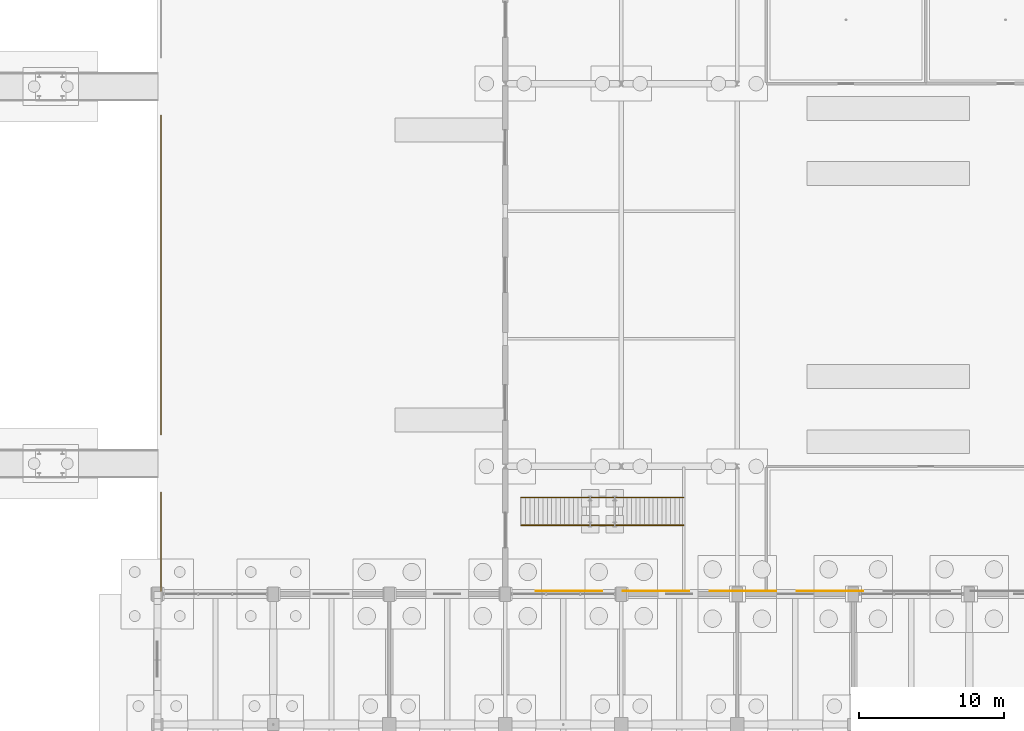
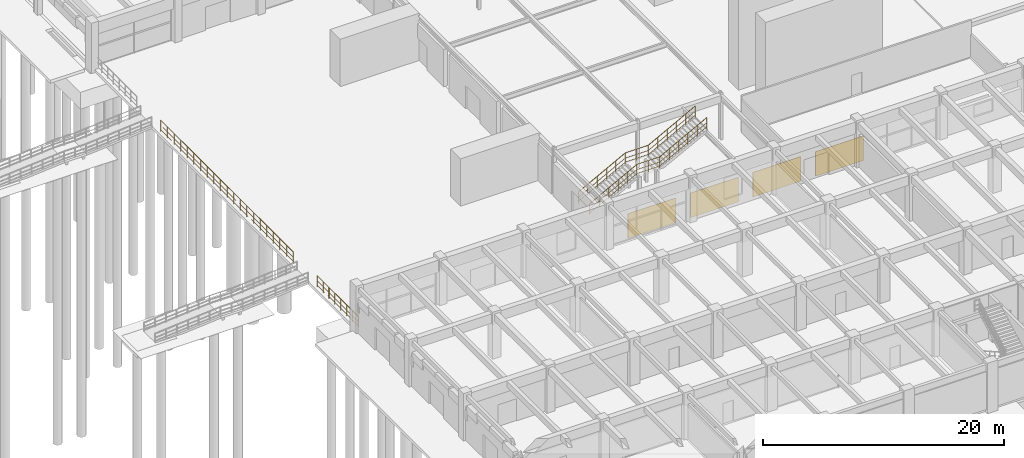
# One storey, part 135 of 147: 4 coverings, 4 railings.
"""IFC4 building model written with IfcOpenShell, lengths in metres."""

from ifc_helpers import new_model, si_unit, direction, frame, origin, origin_2d, place, context, subcontext, project, spatial, rectangle, circle, extrude, material, layer, layer_set, type_object, element, save


model = new_model("IFC4")

# Units and contexts
model_context = context("Model", 3, precision=1e-05, world=origin(), true_north=direction((0.0, 1.0)))
body_context = subcontext(model_context, "Body", "Model", "MODEL_VIEW")
ifc_project = project(units=[si_unit("LENGTHUNIT", "METRE"), si_unit("AREAUNIT", "SQUARE_METRE"), si_unit("VOLUMEUNIT", "CUBIC_METRE"), si_unit("PLANEANGLEUNIT", "RADIAN"), si_unit("MASSUNIT", "GRAM", prefix="KILO")], contexts=[model_context])

# Site, building, storey
site_placement = place(None, origin())
site = spatial("IfcSite", under=ifc_project, at=site_placement, CompositionType="ELEMENT")
building_placement = place(site_placement, origin())
building = spatial("IfcBuilding", under=site, at=building_placement, Name="Varnabhumi Central Station", CompositionType="ELEMENT")
storey_placement = place(building_placement, origin())
storey = spatial("IfcBuildingStorey", under=building, at=storey_placement, Name="L00", CompositionType="ELEMENT", Elevation=0.0)

# Coverings
ifc_material_1 = material(Name="Terracotta clay Mission barrel tile", Category="masonry")
ifc_layer = layer(ifc_material_1, 0.02001953125, Name="Terracotta clay Mission barrel tile", Category="masonry")
ifc_layer_set = layer_set([ifc_layer], Name="Terracotta clay Mission barrel tile")
covering_type = type_object("IfcCoveringType", Name="COV-WALL-FAIENCE", PredefinedType="CLADDING", material=ifc_layer_set)
for number, where, z_axis, x_axis, name in (
    (1, (28.39990234375, 36.199951171875, 0.0), (0.0, 0.0, 1.0), (1.0, 0.0, 0.0), "Ticket Hall Glazed Faience Wainscot 1"),
    (2, (34.39990234375, 36.199951171875, 0.0), (0.0, 0.0, 1.0), (1.0, 0.0, 0.0), "Ticket Hall Glazed Faience Wainscot 2"),
    (3, (40.39990234375, 36.199951171875, 0.0), (0.0, 0.0, 1.0), (1.0, 0.0, 0.0), "Ticket Hall Glazed Faience Wainscot 3"),
    (4, (46.39990234375, 36.199951171875, 0.0), (0.0, 0.0, 1.0), (1.0, 0.0, 0.0), "Ticket Hall Glazed Faience Wainscot 4"),
):
    element("IfcCovering", number, at=place(storey_placement, frame(where, z_axis=z_axis, x_axis=x_axis)), inside=storey, type_object=covering_type, Name=name, PredefinedType="CLADDING", context=body_context, shape_type="SweptSolid", body=[
        extrude(rectangle(XDim=4.60009765625, YDim=0.0400390625, at=origin_2d()), origin(), (0.0, 0.0, 1.0), 2.5),
    ])

# Railings
ifc_material_2 = material(Name="Stainless steel Grade 316", Category="steel")
railing_type_1 = type_object("IfcRailingType", Name="RAIL-BALUST-1150", PredefinedType="BALUSTRADE", material=ifc_material_2)
railing_1_placement = place(storey_placement, frame((0.25, 36.199951171875, 0.0)))
element("IfcRailing", 5, at=railing_1_placement, inside=storey, type_object=railing_type_1, Name="Forecourt Plinth Edge Balustrade 1", PredefinedType="BALUSTRADE", context=body_context, shape_type="SweptSolid", body=[
    extrude(circle(Radius=0.02392578125, at=origin_2d()), frame((0.0, 0.0, 1.1259765625), z_axis=(0.0, 1.0, 0.0), x_axis=(-1.0, 0.0, 0.0)), (0.0, 0.0, 1.0), 6.800048828125),
    extrude(circle(Radius=0.01416015625, at=origin_2d()), frame((0.0, 0.0, 0.597900390625), z_axis=(0.0, 1.0, 0.0), x_axis=(-1.0, 0.0, 0.0)), (0.0, 0.0, 1.0), 6.800048828125),
    extrude(circle(Radius=0.01416015625, at=origin_2d()), frame((0.0, 0.0, 0.18408203125), z_axis=(0.0, 1.0, 0.0), x_axis=(-1.0, 0.0, 0.0)), (0.0, 0.0, 1.0), 6.800048828125),
    extrude(circle(Radius=0.02099609375, at=origin_2d()), origin(), (0.0, 0.0, 1.0), 1.101806640625),
    extrude(circle(Radius=0.02099609375, at=origin_2d()), frame((0.0, 0.971435546875, 0.0)), (0.0, 0.0, 1.0), 1.101806640625),
    extrude(circle(Radius=0.02099609375, at=origin_2d()), frame((0.0, 1.94287109375, 0.0)), (0.0, 0.0, 1.0), 1.101806640625),
    extrude(circle(Radius=0.02099609375, at=origin_2d()), frame((0.0, 2.914306640625, 0.0)), (0.0, 0.0, 1.0), 1.101806640625),
    extrude(circle(Radius=0.02099609375, at=origin_2d()), frame((0.0, 3.8857421875, 0.0)), (0.0, 0.0, 1.0), 1.101806640625),
    extrude(circle(Radius=0.02099609375, at=origin_2d()), frame((0.0, 4.857177734375, 0.0)), (0.0, 0.0, 1.0), 1.101806640625),
    extrude(circle(Radius=0.02099609375, at=origin_2d()), frame((0.0, 5.82861328125, 0.0)), (0.0, 0.0, 1.0), 1.101806640625),
    extrude(circle(Radius=0.02099609375, at=origin_2d()), frame((0.0, 6.800048828125, 0.0)), (0.0, 0.0, 1.0), 1.101806640625),
])
railing_2_placement = place(storey_placement, frame((0.25, 47.0, 0.0)))
element("IfcRailing", 6, at=railing_2_placement, inside=storey, type_object=railing_type_1, Name="Forecourt Plinth Edge Balustrade 2", PredefinedType="BALUSTRADE", context=body_context, shape_type="SweptSolid", body=[
    extrude(circle(Radius=0.02392578125, at=origin_2d()), frame((0.0, 0.0, 1.1259765625), z_axis=(0.0, 1.0, 0.0), x_axis=(-1.0, 0.0, 0.0)), (0.0, 0.0, 1.0), 22.0),
    extrude(circle(Radius=0.01416015625, at=origin_2d()), frame((0.0, 0.0, 0.597900390625), z_axis=(0.0, 1.0, 0.0), x_axis=(-1.0, 0.0, 0.0)), (0.0, 0.0, 1.0), 22.0),
    extrude(circle(Radius=0.01416015625, at=origin_2d()), frame((0.0, 0.0, 0.18408203125), z_axis=(0.0, 1.0, 0.0), x_axis=(-1.0, 0.0, 0.0)), (0.0, 0.0, 1.0), 22.0),
    extrude(circle(Radius=0.02099609375, at=origin_2d()), origin(), (0.0, 0.0, 1.0), 1.101806640625),
    extrude(circle(Radius=0.02099609375, at=origin_2d()), frame((0.0, 1.10009765625, 0.0)), (0.0, 0.0, 1.0), 1.101806640625),
    extrude(circle(Radius=0.02099609375, at=origin_2d()), frame((0.0, 2.199951171875, 0.0)), (0.0, 0.0, 1.0), 1.101806640625),
    extrude(circle(Radius=0.02099609375, at=origin_2d()), frame((0.0, 3.300048828125, 0.0)), (0.0, 0.0, 1.0), 1.101806640625),
    extrude(circle(Radius=0.02099609375, at=origin_2d()), frame((0.0, 4.39990234375, 0.0)), (0.0, 0.0, 1.0), 1.101806640625),
    extrude(circle(Radius=0.02099609375, at=origin_2d()), frame((0.0, 5.5, 0.0)), (0.0, 0.0, 1.0), 1.101806640625),
    extrude(circle(Radius=0.02099609375, at=origin_2d()), frame((0.0, 6.60009765625, 0.0)), (0.0, 0.0, 1.0), 1.101806640625),
    extrude(circle(Radius=0.02099609375, at=origin_2d()), frame((0.0, 7.699951171875, 0.0)), (0.0, 0.0, 1.0), 1.101806640625),
    extrude(circle(Radius=0.02099609375, at=origin_2d()), frame((0.0, 8.800048828125, 0.0)), (0.0, 0.0, 1.0), 1.101806640625),
    extrude(circle(Radius=0.02099609375, at=origin_2d()), frame((0.0, 9.89990234375, 0.0)), (0.0, 0.0, 1.0), 1.101806640625),
    extrude(circle(Radius=0.02099609375, at=origin_2d()), frame((0.0, 11.0, 0.0)), (0.0, 0.0, 1.0), 1.101806640625),
    extrude(circle(Radius=0.02099609375, at=origin_2d()), frame((0.0, 12.10009765625, 0.0)), (0.0, 0.0, 1.0), 1.101806640625),
    extrude(circle(Radius=0.02099609375, at=origin_2d()), frame((0.0, 13.199951171875, 0.0)), (0.0, 0.0, 1.0), 1.101806640625),
    extrude(circle(Radius=0.02099609375, at=origin_2d()), frame((0.0, 14.300048828125, 0.0)), (0.0, 0.0, 1.0), 1.101806640625),
    extrude(circle(Radius=0.02099609375, at=origin_2d()), frame((0.0, 15.39990234375, 0.0)), (0.0, 0.0, 1.0), 1.101806640625),
    extrude(circle(Radius=0.02099609375, at=origin_2d()), frame((0.0, 16.5, 0.0)), (0.0, 0.0, 1.0), 1.101806640625),
    extrude(circle(Radius=0.02099609375, at=origin_2d()), frame((0.0, 17.60009765625, 0.0)), (0.0, 0.0, 1.0), 1.101806640625),
    extrude(circle(Radius=0.02099609375, at=origin_2d()), frame((0.0, 18.699951171875, 0.0)), (0.0, 0.0, 1.0), 1.101806640625),
    extrude(circle(Radius=0.02099609375, at=origin_2d()), frame((0.0, 19.800048828125, 0.0)), (0.0, 0.0, 1.0), 1.101806640625),
    extrude(circle(Radius=0.02099609375, at=origin_2d()), frame((0.0, 20.89990234375, 0.0)), (0.0, 0.0, 1.0), 1.101806640625),
    extrude(circle(Radius=0.02099609375, at=origin_2d()), frame((0.0, 22.0, 0.0)), (0.0, 0.0, 1.0), 1.101806640625),
])
railing_type_2 = type_object("IfcRailingType", Name="RAIL-STAIR-GRD-1150", PredefinedType="GUARDRAIL", material=ifc_material_2)
railing_3_placement = place(storey_placement, frame((25.10009765625, 40.739990234375, 0.0)))
element("IfcRailing", 7, at=railing_3_placement, inside=storey, type_object=railing_type_2, Name="Mezzanine Stair Guard S", PredefinedType="GUARDRAIL", context=body_context, shape_type="SweptSolid", body=[
    extrude(circle(Radius=0.02392578125, at=origin_2d()), frame((0.0, 0.0, 1.1259765625), z_axis=(0.882360891967, 0.0, 0.470573327259), x_axis=(0.0, 1.0, 0.0)), (0.0, 0.0, 1.0), 5.099853515625),
    extrude(circle(Radius=0.01416015625, at=origin_2d()), frame((0.0, 0.0, 0.597900390625), z_axis=(0.882360891967, 0.0, 0.470573327259), x_axis=(0.0, 1.0, 0.0)), (0.0, 0.0, 1.0), 5.099853515625),
    extrude(circle(Radius=0.01416015625, at=origin_2d()), frame((0.0, 0.0, 0.18408203125), z_axis=(0.882360891967, 0.0, 0.470573327259), x_axis=(0.0, 1.0, 0.0)), (0.0, 0.0, 1.0), 5.099853515625),
    extrude(circle(Radius=0.02392578125, at=origin_2d()), frame((4.5, 0.0, 3.52587890625), z_axis=(1.0, 0.0, 0.0), x_axis=(0.0, 1.0, 0.0)), (0.0, 0.0, 1.0), 2.199951171875),
    extrude(circle(Radius=0.01416015625, at=origin_2d()), frame((4.5, 0.0, 2.997802734375), z_axis=(1.0, 0.0, 0.0), x_axis=(0.0, 1.0, 0.0)), (0.0, 0.0, 1.0), 2.199951171875),
    extrude(circle(Radius=0.01416015625, at=origin_2d()), frame((4.5, 0.0, 2.583984375), z_axis=(1.0, 0.0, 0.0), x_axis=(0.0, 1.0, 0.0)), (0.0, 0.0, 1.0), 2.199951171875),
    extrude(circle(Radius=0.02392578125, at=origin_2d()), frame((6.699951171875, 0.0, 3.52587890625), z_axis=(0.882341014787, 0.0, 0.470610596591), x_axis=(0.0, 1.0, 0.0)), (0.0, 0.0, 1.0), 5.10009765625),
    extrude(circle(Radius=0.01416015625, at=origin_2d()), frame((6.699951171875, 0.0, 2.997802734375), z_axis=(0.882341014787, 0.0, 0.470610596591), x_axis=(0.0, 1.0, 0.0)), (0.0, 0.0, 1.0), 5.10009765625),
    extrude(circle(Radius=0.01416015625, at=origin_2d()), frame((6.699951171875, 0.0, 2.583984375), z_axis=(0.882341014787, 0.0, 0.470610596591), x_axis=(0.0, 1.0, 0.0)), (0.0, 0.0, 1.0), 5.10009765625),
    extrude(circle(Radius=0.02099609375, at=origin_2d()), origin(), (0.0, 0.0, 1.0), 1.101806640625),
    extrude(circle(Radius=0.02099609375, at=origin_2d()), frame((0.89990234375, 0.0, 0.47998046875)), (0.0, 0.0, 1.0), 1.101806640625),
    extrude(circle(Radius=0.02099609375, at=origin_2d()), frame((1.800048828125, 0.0, 0.9599609375)), (0.0, 0.0, 1.0), 1.101806640625),
    extrude(circle(Radius=0.02099609375, at=origin_2d()), frame((2.699951171875, 0.0, 1.43994140625)), (0.0, 0.0, 1.0), 1.101806640625),
    extrude(circle(Radius=0.02099609375, at=origin_2d()), frame((3.60009765625, 0.0, 1.919921875)), (0.0, 0.0, 1.0), 1.101806640625),
    extrude(circle(Radius=0.02099609375, at=origin_2d()), frame((4.5, 0.0, 2.39990234375)), (0.0, 0.0, 1.0), 1.101806640625),
    extrude(circle(Radius=0.02099609375, at=origin_2d()), frame((5.60009765625, 0.0, 2.39990234375)), (0.0, 0.0, 1.0), 1.101806640625),
    extrude(circle(Radius=0.02099609375, at=origin_2d()), frame((6.699951171875, 0.0, 2.39990234375)), (0.0, 0.0, 1.0), 1.101806640625),
    extrude(circle(Radius=0.02099609375, at=origin_2d()), frame((7.599853515625, 0.0, 2.8798828125)), (0.0, 0.0, 1.0), 1.101806640625),
    extrude(circle(Radius=0.02099609375, at=origin_2d()), frame((8.5, 0.0, 3.35986328125)), (0.0, 0.0, 1.0), 1.101806640625),
    extrude(circle(Radius=0.02099609375, at=origin_2d()), frame((9.39990234375, 0.0, 3.840087890625)), (0.0, 0.0, 1.0), 1.101806640625),
    extrude(circle(Radius=0.02099609375, at=origin_2d()), frame((10.300048828125, 0.0, 4.320068359375)), (0.0, 0.0, 1.0), 1.101806640625),
    extrude(circle(Radius=0.02099609375, at=origin_2d()), frame((11.199951171875, 0.0, 4.800048828125)), (0.0, 0.0, 1.0), 1.101806640625),
])
railing_4_placement = place(storey_placement, frame((25.10009765625, 42.659912109375, 0.0)))
element("IfcRailing", 8, at=railing_4_placement, inside=storey, type_object=railing_type_2, Name="Mezzanine Stair Guard N", PredefinedType="GUARDRAIL", context=body_context, shape_type="SweptSolid", body=[
    extrude(circle(Radius=0.02392578125, at=origin_2d()), frame((0.0, 0.0, 1.1259765625), z_axis=(0.882360891967, 0.0, 0.470573327259), x_axis=(0.0, 1.0, 0.0)), (0.0, 0.0, 1.0), 5.099853515625),
    extrude(circle(Radius=0.01416015625, at=origin_2d()), frame((0.0, 0.0, 0.597900390625), z_axis=(0.882360891967, 0.0, 0.470573327259), x_axis=(0.0, 1.0, 0.0)), (0.0, 0.0, 1.0), 5.099853515625),
    extrude(circle(Radius=0.01416015625, at=origin_2d()), frame((0.0, 0.0, 0.18408203125), z_axis=(0.882360891967, 0.0, 0.470573327259), x_axis=(0.0, 1.0, 0.0)), (0.0, 0.0, 1.0), 5.099853515625),
    extrude(circle(Radius=0.02392578125, at=origin_2d()), frame((4.5, 0.0, 3.52587890625), z_axis=(1.0, 0.0, 0.0), x_axis=(0.0, 1.0, 0.0)), (0.0, 0.0, 1.0), 2.199951171875),
    extrude(circle(Radius=0.01416015625, at=origin_2d()), frame((4.5, 0.0, 2.997802734375), z_axis=(1.0, 0.0, 0.0), x_axis=(0.0, 1.0, 0.0)), (0.0, 0.0, 1.0), 2.199951171875),
    extrude(circle(Radius=0.01416015625, at=origin_2d()), frame((4.5, 0.0, 2.583984375), z_axis=(1.0, 0.0, 0.0), x_axis=(0.0, 1.0, 0.0)), (0.0, 0.0, 1.0), 2.199951171875),
    extrude(circle(Radius=0.02392578125, at=origin_2d()), frame((6.699951171875, 0.0, 3.52587890625), z_axis=(0.882341014787, 0.0, 0.470610596591), x_axis=(0.0, 1.0, 0.0)), (0.0, 0.0, 1.0), 5.10009765625),
    extrude(circle(Radius=0.01416015625, at=origin_2d()), frame((6.699951171875, 0.0, 2.997802734375), z_axis=(0.882341014787, 0.0, 0.470610596591), x_axis=(0.0, 1.0, 0.0)), (0.0, 0.0, 1.0), 5.10009765625),
    extrude(circle(Radius=0.01416015625, at=origin_2d()), frame((6.699951171875, 0.0, 2.583984375), z_axis=(0.882341014787, 0.0, 0.470610596591), x_axis=(0.0, 1.0, 0.0)), (0.0, 0.0, 1.0), 5.10009765625),
    extrude(circle(Radius=0.02099609375, at=origin_2d()), origin(), (0.0, 0.0, 1.0), 1.101806640625),
    extrude(circle(Radius=0.02099609375, at=origin_2d()), frame((0.89990234375, 0.0, 0.47998046875)), (0.0, 0.0, 1.0), 1.101806640625),
    extrude(circle(Radius=0.02099609375, at=origin_2d()), frame((1.800048828125, 0.0, 0.9599609375)), (0.0, 0.0, 1.0), 1.101806640625),
    extrude(circle(Radius=0.02099609375, at=origin_2d()), frame((2.699951171875, 0.0, 1.43994140625)), (0.0, 0.0, 1.0), 1.101806640625),
    extrude(circle(Radius=0.02099609375, at=origin_2d()), frame((3.60009765625, 0.0, 1.919921875)), (0.0, 0.0, 1.0), 1.101806640625),
    extrude(circle(Radius=0.02099609375, at=origin_2d()), frame((4.5, 0.0, 2.39990234375)), (0.0, 0.0, 1.0), 1.101806640625),
    extrude(circle(Radius=0.02099609375, at=origin_2d()), frame((5.60009765625, 0.0, 2.39990234375)), (0.0, 0.0, 1.0), 1.101806640625),
    extrude(circle(Radius=0.02099609375, at=origin_2d()), frame((6.699951171875, 0.0, 2.39990234375)), (0.0, 0.0, 1.0), 1.101806640625),
    extrude(circle(Radius=0.02099609375, at=origin_2d()), frame((7.599853515625, 0.0, 2.8798828125)), (0.0, 0.0, 1.0), 1.101806640625),
    extrude(circle(Radius=0.02099609375, at=origin_2d()), frame((8.5, 0.0, 3.35986328125)), (0.0, 0.0, 1.0), 1.101806640625),
    extrude(circle(Radius=0.02099609375, at=origin_2d()), frame((9.39990234375, 0.0, 3.840087890625)), (0.0, 0.0, 1.0), 1.101806640625),
    extrude(circle(Radius=0.02099609375, at=origin_2d()), frame((10.300048828125, 0.0, 4.320068359375)), (0.0, 0.0, 1.0), 1.101806640625),
    extrude(circle(Radius=0.02099609375, at=origin_2d()), frame((11.199951171875, 0.0, 4.800048828125)), (0.0, 0.0, 1.0), 1.101806640625),
])

save(model, "model.ifc")
